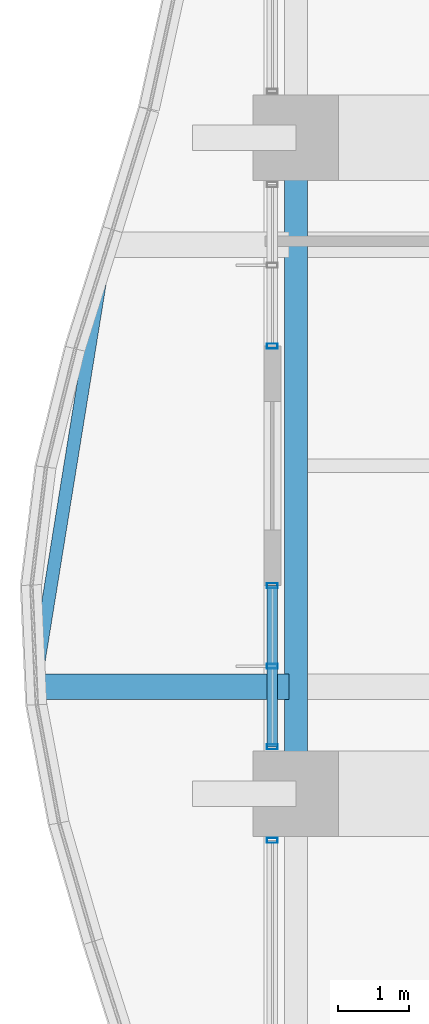
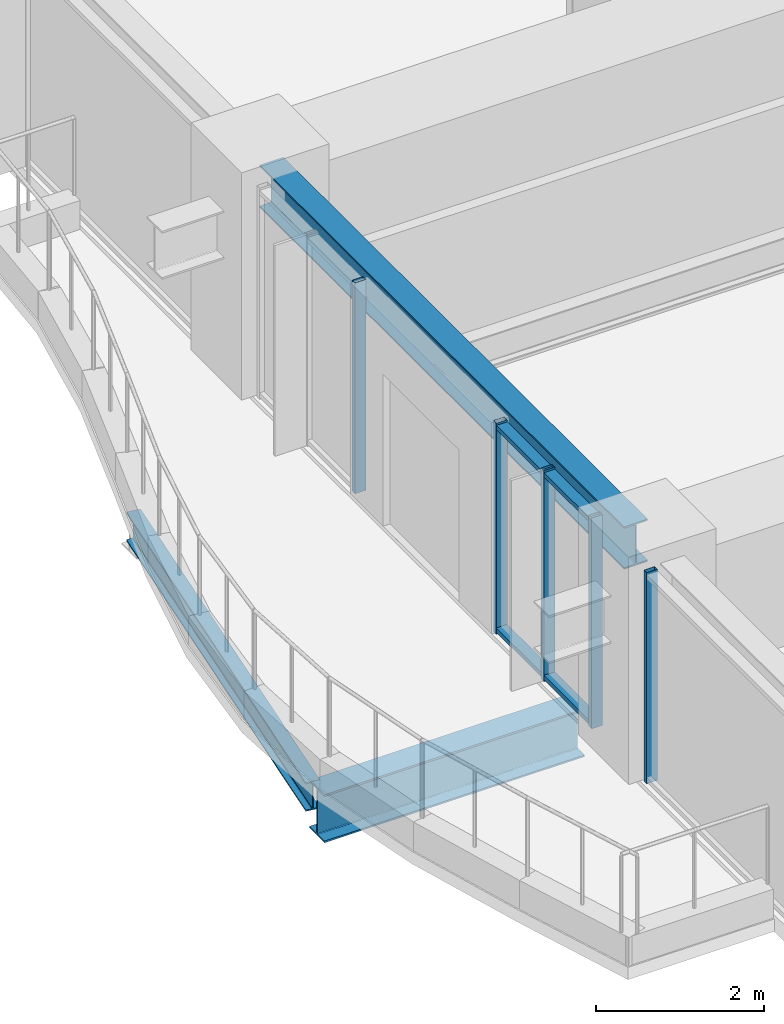
# One storey, part 8 of 39: 7 members, 3 beams, 3 elements without a shape of their own.
"""IFC4 building model written with IfcOpenShell, lengths in metres."""

from ifc_helpers import new_model, si_unit, direction, frame, origin, origin_2d, place, context, subcontext, project, spatial, hollow_rectangle, i_section, extrude, material, material_profile, profile_set, type_object, element, aggregate, save


model = new_model("IFC4")

# Units and contexts
model_context = context("Model", 3, precision=1e-05, world=origin(), true_north=direction((0.0, 1.0)))
body_context = subcontext(model_context, "Body", "Model", "MODEL_VIEW")
ifc_project = project(units=[si_unit("LENGTHUNIT", "METRE"), si_unit("AREAUNIT", "SQUARE_METRE"), si_unit("VOLUMEUNIT", "CUBIC_METRE"), si_unit("PLANEANGLEUNIT", "RADIAN"), si_unit("MASSUNIT", "GRAM", prefix="KILO")], contexts=[model_context])

# Site, building, storey
site_placement = place(None, origin())
site = spatial("IfcSite", under=ifc_project, at=site_placement, CompositionType="ELEMENT")
building_placement = place(site_placement, origin())
building = spatial("IfcBuilding", under=site, at=building_placement, Name="Kolvaren Belvedere", CompositionType="ELEMENT")
storey_placement = place(building_placement, frame((0.0, 0.0, 40.300048828125)))
storey = spatial("IfcBuildingStorey", under=building, at=storey_placement, Name="L11", CompositionType="ELEMENT", Elevation=40.300048828125)

# Beams
ifc_material_1 = material(Name="Structural steel ASTM A992 Grade 50", Category="steel")
ifc_material_profile_1 = material_profile(ifc_material_1, i_section(OverallWidth=0.35498046875, OverallDepth=0.696044921875, WebThickness=0.015380859375, FlangeThickness=0.02490234375, FilletRadius=0.02197265625, at=origin_2d()), Name="W27X146")
ifc_profile_set_1 = profile_set([ifc_material_profile_1], Name="Structural steel ASTM A992 Grade 50")
beam_type_1 = type_object("IfcBeamType", Name="BM-CANT-BAL", PredefinedType="BEAM", material=ifc_profile_set_1)
beam_1_placement = place(storey_placement, frame((-21.64501953125, -3.10009765625, -0.588134765625), z_axis=(-1.0, 0.0, 0.0), x_axis=(0.0, -1.0, 0.0)))
element("IfcBeam", 1, at=beam_1_placement, inside=storey, type_object=beam_type_1, Name="L11 Planted Balcony Cantilever BAL-W-1", PredefinedType="BEAM", context=body_context, shape_type="SweptSolid", body=[
    extrude(i_section(OverallWidth=0.35498046875, OverallDepth=0.696044921875, WebThickness=0.015380859375, FlangeThickness=0.02490234375, FilletRadius=0.02197265625, at=origin_2d()), origin(), (0.0, 0.0, 1.0), 3.57080078125),
])
ifc_material_2 = material(Name="Structural steel ASTM A992 Grade 50", Category="steel")
ifc_material_profile_2 = material_profile(ifc_material_2, i_section(OverallWidth=0.180908203125, OverallDepth=0.4169921875, WebThickness=0.010986328125, FlangeThickness=0.018310546875, FilletRadius=0.013916015625, at=origin_2d()), Name="W16X57")
ifc_profile_set_2 = profile_set([ifc_material_profile_2], Name="Structural steel ASTM A992 Grade 50")
beam_type_2 = type_object("IfcBeamType", Name="BM-EDGE-W16X57", PredefinedType="BEAM", material=ifc_profile_set_2)
beam_2_placement = place(storey_placement, frame((-25.193603515625, -2.9619140625, -0.448486328125), z_axis=(0.159567567211, 0.987187009383, 0.0), x_axis=(-0.987187009383, 0.159567567211, 0.0)))
element("IfcBeam", 2, at=beam_2_placement, inside=storey, type_object=beam_type_2, Name="L11 Balcony Tip Header Beam BAL-W", PredefinedType="BEAM", context=body_context, shape_type="SweptSolid", body=[
    extrude(i_section(OverallWidth=0.180908203125, OverallDepth=0.4169921875, WebThickness=0.010986328125, FlangeThickness=0.018310546875, FilletRadius=0.013916015625, at=origin_2d()), origin(), (0.0, 0.0, 1.0), 6.000732421875),
])
ifc_material_3 = material(Name="Structural steel ASTM A992 Grade 50", Category="steel")
ifc_material_profile_3 = material_profile(ifc_material_3, i_section(OverallWidth=0.324951171875, OverallDepth=0.615966796875, WebThickness=0.013916015625, FlangeThickness=0.021484375, FilletRadius=0.02001953125, at=origin_2d()), Name="W24X117")
ifc_profile_set_3 = profile_set([ifc_material_profile_3], Name="Structural steel ASTM A992 Grade 50")
beam_type_3 = type_object("IfcBeamType", Name="BM-SPAN-W24X117", PredefinedType="SPANDREL", material=ifc_profile_set_3)
beam_3_placement = place(storey_placement, frame((-21.550048828125, 4.330078125, 2.751953125), z_axis=(0.0, -1.0, 0.0), x_axis=(1.0, 0.0, 0.0)))
element("IfcBeam", 3, at=beam_3_placement, inside=storey, type_object=beam_type_3, Name="L11 Perimeter Spandrel W3-W2", PredefinedType="SPANDREL", context=body_context, shape_type="SweptSolid", body=[
    extrude(i_section(OverallWidth=0.324951171875, OverallDepth=0.615966796875, WebThickness=0.013916015625, FlangeThickness=0.021484375, FilletRadius=0.02001953125, at=origin_2d()), origin(), (0.0, 0.0, 1.0), 8.66015625),
])

# Curtain wall, member
ifc_material_4 = material(Name="Anodised pale-metal aluminium AA 6063-T6", Category="aluminium")
curtain_wall_type = type_object("IfcCurtainWallType", Name="CW-Z1-LOW", PredefinedType="NOTDEFINED", material=ifc_material_4)
curtain_wall_1_placement = place(storey_placement, origin())
curtain_wall_1 = element("IfcCurtainWall", 4, at=curtain_wall_1_placement, inside=storey, type_object=curtain_wall_type, Name="L11 Unitised Curtain Wall FCW-L11-W1-B1", PredefinedType="NOTDEFINED")
ifc_material_5 = material(Name="Anodised pale-metal aluminium AA 6063-T6", Category="aluminium")
ifc_material_profile_4 = material_profile(ifc_material_5, hollow_rectangle(XDim=0.070068359375, YDim=0.14990234375, WallThickness=0.004150390625, at=origin_2d()), Name="ALU-MUL-150X70")
ifc_profile_set_4 = profile_set([ifc_material_profile_4], Name="Anodised pale-metal aluminium AA 6063-T6")
member_type_1 = type_object("IfcMemberType", Name="CW-MUL-150", PredefinedType="MULLION", material=ifc_profile_set_4)
member_1_placement = place(storey_placement, frame((-21.8798828125, -5.2548828125, 0.0), z_axis=(0.0, 0.0, 1.0), x_axis=(0.0, 1.0, 0.0)))
member_1 = element("IfcMember", 5, at=member_1_placement, type_object=member_type_1, Name="FCW-L11-W1-B1 Unitised Mullion 3", PredefinedType="MULLION", context=body_context, shape_type="SweptSolid", body=[
    extrude(hollow_rectangle(XDim=0.070068359375, YDim=0.14990234375, WallThickness=0.004150390625, at=origin_2d()), origin(), (0.0, 0.0, 1.0), 3.06005859375),
])
aggregate(curtain_wall_1, [member_1])

# Curtain wall, members
curtain_wall_2_placement = place(storey_placement, origin())
curtain_wall_2 = element("IfcCurtainWall", 6, at=curtain_wall_2_placement, inside=storey, type_object=curtain_wall_type, Name="L11 Unitised Curtain Wall FCW-L11-W1-B2", PredefinedType="NOTDEFINED")
member_2_placement = place(storey_placement, frame((-21.8798828125, -3.945068359375, 0.0), z_axis=(0.0, 0.0, 1.0), x_axis=(0.0, 1.0, 0.0)))
member_2 = element("IfcMember", 7, at=member_2_placement, type_object=member_type_1, Name="FCW-L11-W1-B2 Unitised Mullion 1", PredefinedType="MULLION", context=body_context, shape_type="SweptSolid", body=[
    extrude(hollow_rectangle(XDim=0.070068359375, YDim=0.14990234375, WallThickness=0.004150390625, at=origin_2d()), origin(), (0.0, 0.0, 1.0), 3.06005859375),
])
member_3_placement = place(storey_placement, frame((-21.8798828125, -2.8125, 0.0), z_axis=(0.0, 0.0, 1.0), x_axis=(0.0, 1.0, 0.0)))
member_3 = element("IfcMember", 8, at=member_3_placement, type_object=member_type_1, Name="FCW-L11-W1-B2 Unitised Mullion 2", PredefinedType="MULLION", context=body_context, shape_type="SweptSolid", body=[
    extrude(hollow_rectangle(XDim=0.070068359375, YDim=0.14990234375, WallThickness=0.004150390625, at=origin_2d()), origin(), (0.0, 0.0, 1.0), 3.06005859375),
])
member_4_placement = place(storey_placement, frame((-21.8798828125, -1.679931640625, 0.0), z_axis=(0.0, 0.0, 1.0), x_axis=(0.0, 1.0, 0.0)))
member_4 = element("IfcMember", 9, at=member_4_placement, type_object=member_type_1, Name="FCW-L11-W1-B2 Unitised Mullion 3", PredefinedType="MULLION", context=body_context, shape_type="SweptSolid", body=[
    extrude(hollow_rectangle(XDim=0.070068359375, YDim=0.14990234375, WallThickness=0.004150390625, at=origin_2d()), origin(), (0.0, 0.0, 1.0), 3.06005859375),
])

# Curtain wall, member
curtain_wall_3_placement = place(storey_placement, origin())
curtain_wall_3 = element("IfcCurtainWall", 10, at=curtain_wall_3_placement, inside=storey, type_object=curtain_wall_type, Name="L11 Unitised Curtain Wall FCW-L11-W2-B1", PredefinedType="NOTDEFINED")
member_5_placement = place(storey_placement, frame((-21.8798828125, 1.679931640625, 0.0), z_axis=(0.0, 0.0, 1.0), x_axis=(0.0, 1.0, 0.0)))
member_5 = element("IfcMember", 11, at=member_5_placement, type_object=member_type_1, Name="FCW-L11-W2-B1 Unitised Mullion 1", PredefinedType="MULLION", context=body_context, shape_type="SweptSolid", body=[
    extrude(hollow_rectangle(XDim=0.070068359375, YDim=0.14990234375, WallThickness=0.004150390625, at=origin_2d()), origin(), (0.0, 0.0, 1.0), 3.06005859375),
])
aggregate(curtain_wall_3, [member_5])

# Member
ifc_material_6 = material(Name="Anodised pale-metal aluminium AA 6063-T6", Category="aluminium")
ifc_material_profile_5 = material_profile(ifc_material_6, hollow_rectangle(XDim=0.06494140625, YDim=0.14990234375, WallThickness=0.00390625, at=origin_2d()), Name="ALU-TRN-150X65")
ifc_profile_set_5 = profile_set([ifc_material_profile_5], Name="Anodised pale-metal aluminium AA 6063-T6")
member_type_2 = type_object("IfcMemberType", Name="CW-TRN-150", PredefinedType="USERDEFINED", material=ifc_profile_set_5)
member_6_placement = place(storey_placement, frame((-21.8798828125, -3.945068359375, 0.06005859375), z_axis=(0.0, 1.0, 0.0), x_axis=(0.0, 0.0, 1.0)))
member_6 = element("IfcMember", 12, at=member_6_placement, type_object=member_type_2, Name="FCW-L11-W1-B2 Sill Transom", ObjectType="TRANSOM", PredefinedType="USERDEFINED", context=body_context, shape_type="SweptSolid", body=[
    extrude(hollow_rectangle(XDim=0.06494140625, YDim=0.14990234375, WallThickness=0.00390625, at=origin_2d()), origin(), (0.0, 0.0, 1.0), 2.26513671875),
])

member_7_placement = place(storey_placement, frame((-21.8798828125, -3.945068359375, 3.0), z_axis=(0.0, 1.0, 0.0), x_axis=(0.0, 0.0, 1.0)))
member_7 = element("IfcMember", 13, at=member_7_placement, type_object=member_type_2, Name="FCW-L11-W1-B2 Head Transom", ObjectType="TRANSOM", PredefinedType="USERDEFINED", context=body_context, shape_type="SweptSolid", body=[
    extrude(hollow_rectangle(XDim=0.06494140625, YDim=0.14990234375, WallThickness=0.00390625, at=origin_2d()), origin(), (0.0, 0.0, 1.0), 2.26513671875),
])

aggregate(curtain_wall_2, [member_2, member_3, member_4, member_6, member_7])

save(model, "model.ifc")
